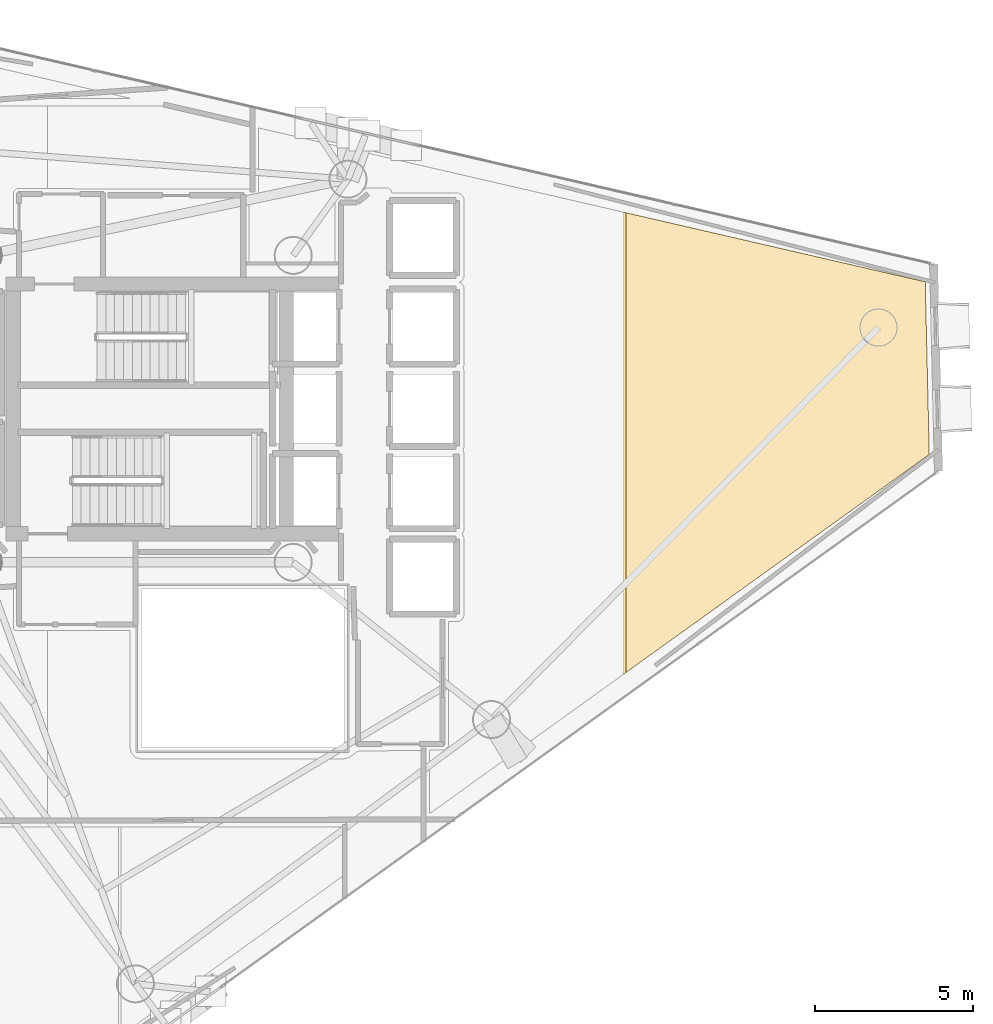
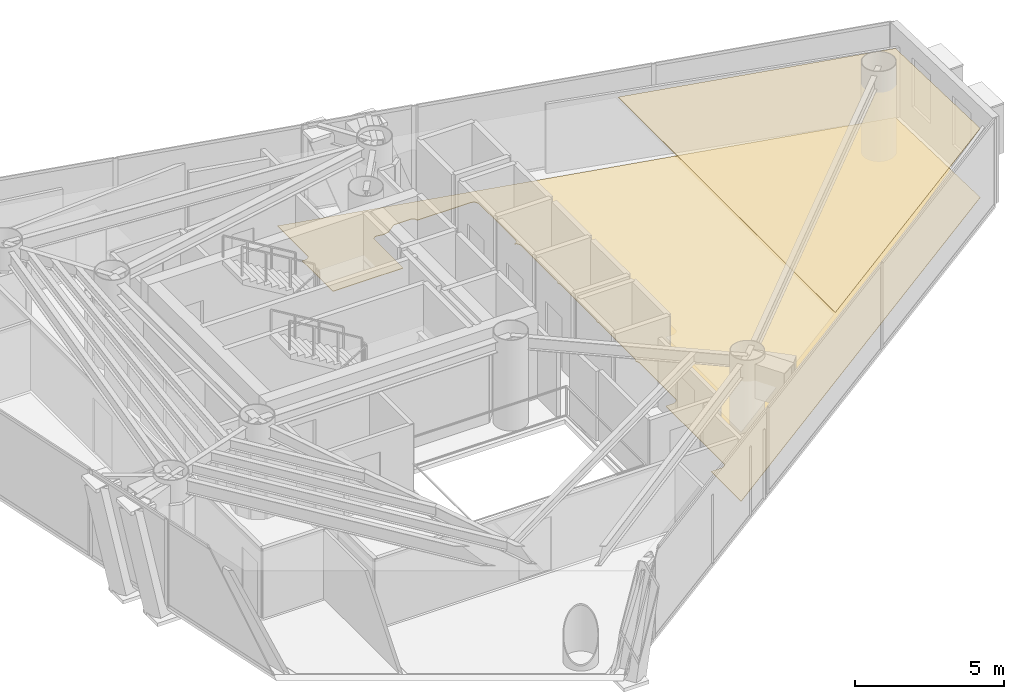
# One storey, part 22 of 22: 2 coverings.
"""IFC4 building model written with IfcOpenShell, lengths in metres."""

from ifc_helpers import new_model, si_unit, direction, frame, origin, place, context, subcontext, project, spatial, polyline, outline, extrude, material, layer, layer_set, type_object, element, save


model = new_model("IFC4")

# Units and contexts
model_context = context("Model", 3, precision=1e-05, world=origin(), true_north=direction((0.0, 1.0)))
body_context = subcontext(model_context, "Body", "Model", "MODEL_VIEW")
ifc_project = project(units=[si_unit("LENGTHUNIT", "METRE"), si_unit("AREAUNIT", "SQUARE_METRE"), si_unit("VOLUMEUNIT", "CUBIC_METRE"), si_unit("PLANEANGLEUNIT", "RADIAN"), si_unit("MASSUNIT", "GRAM", prefix="KILO")], contexts=[model_context])

# Site, building, storey
site_placement = place(None, origin())
site = spatial("IfcSite", under=ifc_project, at=site_placement, CompositionType="ELEMENT")
building_placement = place(site_placement, origin())
building = spatial("IfcBuilding", under=site, at=building_placement, Name="Qianvela Tower", CompositionType="ELEMENT")
storey_placement = place(building_placement, frame((0.0, 0.0, 204.0)))
storey = spatial("IfcBuildingStorey", under=building, at=storey_placement, Name="L52", CompositionType="ELEMENT", Elevation=204.0)

# Coverings
ifc_material_1 = material(Name="Perforated Mineral Acoustic Ceiling Tile")
ifc_layer_1 = layer(ifc_material_1, 0.02490234375)
ifc_layer_set_1 = layer_set([ifc_layer_1], Name="Perforated Mineral Acoustic Ceiling Tile")
covering_type_1 = type_object("IfcCoveringType", Name="COV-CEIL-ACOUSTIC-25", PredefinedType="CEILING", material=ifc_layer_set_1)
covering_1_placement = place(storey_placement, frame((0.0, 0.0, 2.81494140625)))
element("IfcCovering", 1, at=covering_1_placement, inside=storey, type_object=covering_type_1, Name="L52 Acoustic Ceiling Bay 2 Collaborative Co-working Office L52-02", PredefinedType="CEILING", context=body_context, shape_type="SweptSolid", body=[
    extrude(outline(polyline([(58.373779296875, 32.71533203125), (58.5009765625, 27.259033203125), (48.924560546875, 20.37451171875), (48.924560546875, 34.8955078125), (58.373779296875, 32.71533203125)])), origin(), (0.0, 0.0, 1.0), 0.025146484375),
])
ifc_material_2 = material(Name="Engineered Acoustic Oak Timber Flooring", Category="wood")
ifc_layer_2 = layer(ifc_material_2, 0.02001953125)
ifc_layer_set_2 = layer_set([ifc_layer_2], Name="Engineered Acoustic Oak Timber Flooring")
covering_type_2 = type_object("IfcCoveringType", Name="COV-FLOOR-OAK-20", PredefinedType="FLOORING", material=ifc_layer_set_2)
covering_2_placement = place(storey_placement, origin())
element("IfcCovering", 2, at=covering_2_placement, inside=storey, type_object=covering_type_2, Name="L52 Finish Flooring Collaborative Co-working Office L52-02", PredefinedType="FLOORING", context=body_context, shape_type="SweptSolid", body=[
    extrude(outline(polyline([(42.709716796875, 15.906494140625), (42.70751953125, 17.920166015625), (43.157958984375, 17.92041015625), (43.165771484375, 17.9208984375), (43.173583984375, 17.921875), (43.18115234375, 17.923828125), (43.1884765625, 17.926513671875), (43.195556640625, 17.9296875), (43.202392578125, 17.933837890625), (43.20849609375, 17.9384765625), (43.21435546875, 17.94384765625), (43.2861328125, 18.015625), (43.29150390625, 18.021484375), (43.296142578125, 18.027587890625), (43.30029296875, 18.034423828125), (43.303466796875, 18.04150390625), (43.30615234375, 18.048828125), (43.30810546875, 18.056640625), (43.30908203125, 18.064208984375), (43.3095703125, 18.072265625), (43.309326171875, 21.980712890625), (43.60791015625, 21.982666015625), (43.615478515625, 21.983154296875), (43.623291015625, 21.984375), (43.630859375, 21.986083984375), (43.637939453125, 21.98876953125), (43.64501953125, 21.9921875), (43.716796875, 22.030517578125), (43.723388671875, 22.034423828125), (43.729736328125, 22.039306640625), (43.735595703125, 22.04443359375), (43.74072265625, 22.05029296875), (43.74560546875, 22.056640625), (43.74951171875, 22.063232421875), (43.787841796875, 22.135009765625), (43.791259765625, 22.14208984375), (43.7939453125, 22.1494140625), (43.7958984375, 22.156982421875), (43.796875, 22.164794921875), (43.79736328125, 22.172607421875), (43.79931640625, 24.61376953125), (43.799072265625, 24.62060546875), (43.798095703125, 24.627685546875), (43.79638671875, 24.634765625), (43.79443359375, 24.641357421875), (43.79150390625, 24.64794921875), (43.751220703125, 24.733154296875), (43.74755859375, 24.739990234375), (43.743408203125, 24.74658203125), (43.738525390625, 24.752197265625), (43.780517578125, 24.81494140625), (43.784423828125, 24.821533203125), (43.787841796875, 24.82861328125), (43.79052734375, 24.8359375), (43.79248046875, 24.843505859375), (43.793701171875, 24.851318359375), (43.7939453125, 24.859130859375), (43.800048828125, 27.2998046875), (43.799560546875, 27.307861328125), (43.79833984375, 27.315673828125), (43.79638671875, 27.323486328125), (43.793701171875, 27.3310546875), (43.7646484375, 27.39990234375), (43.793701171875, 27.468994140625), (43.79638671875, 27.476318359375), (43.79833984375, 27.484130859375), (43.799560546875, 27.491943359375), (43.800048828125, 27.5), (43.800048828125, 29.89990234375), (43.799560546875, 29.907958984375), (43.79833984375, 29.915771484375), (43.79638671875, 29.923583984375), (43.793701171875, 29.93115234375), (43.7646484375, 30.0), (43.793701171875, 30.06884765625), (43.79638671875, 30.076416015625), (43.79833984375, 30.084228515625), (43.799560546875, 30.092041015625), (43.800048828125, 30.10009765625), (43.79931640625, 32.513671875), (43.798828125, 32.522705078125), (43.79736328125, 32.53125), (43.794921875, 32.539794921875), (43.79150390625, 32.5478515625), (43.751220703125, 32.63330078125), (43.74755859375, 32.64013671875), (43.743408203125, 32.646728515625), (43.73828125, 32.652587890625), (43.732666015625, 32.658203125), (43.726806640625, 32.663330078125), (43.72021484375, 32.66748046875), (43.713134765625, 32.67138671875), (43.646484375, 32.702880859375), (43.722412109375, 32.739013671875), (43.729248046875, 32.74267578125), (43.73583984375, 32.746826171875), (43.741943359375, 32.751953125), (43.74755859375, 32.757568359375), (43.75244140625, 32.763427734375), (43.7568359375, 32.77001953125), (43.760498046875, 32.777099609375), (43.763427734375, 32.7841796875), (43.79541015625, 32.873046875), (43.79736328125, 32.879638671875), (43.798828125, 32.886474609375), (43.7998046875, 32.893310546875), (43.800048828125, 32.900146484375), (43.79736328125, 35.327392578125), (43.796875, 35.3359375), (43.79541015625, 35.344482421875), (43.793212890625, 35.352783203125), (43.7900390625, 35.36083984375), (43.785888671875, 35.368408203125), (43.7373046875, 35.44921875), (43.732666015625, 35.456298828125), (43.727294921875, 35.462890625), (43.72119140625, 35.46875), (43.71435546875, 35.47412109375), (43.70703125, 35.478515625), (43.699462890625, 35.482177734375), (43.624267578125, 35.51318359375), (43.616943359375, 35.515869140625), (43.609375, 35.517822265625), (43.6015625, 35.518798828125), (43.59375, 35.519287109375), (41.515625, 35.52001953125), (41.513916015625, 35.554931640625), (41.512939453125, 35.563232421875), (41.51123046875, 35.5712890625), (41.508544921875, 35.5791015625), (41.50537109375, 35.5869140625), (41.501220703125, 35.593994140625), (41.496337890625, 35.6005859375), (41.49072265625, 35.60693359375), (41.484619140625, 35.612548828125), (41.426513671875, 35.660400390625), (41.419921875, 35.6650390625), (41.413330078125, 35.6689453125), (41.406005859375, 35.67236328125), (41.398681640625, 35.675048828125), (41.39111328125, 35.677001953125), (41.38330078125, 35.677978515625), (41.37548828125, 35.678466796875), (40.726806640625, 35.676513671875), (40.718994140625, 35.67626953125), (40.71142578125, 35.675048828125), (40.7041015625, 35.67333984375), (40.697021484375, 35.670654296875), (40.68994140625, 35.66748046875), (40.683349609375, 35.663818359375), (40.677001953125, 35.6591796875), (40.35986328125, 35.40673828125), (40.129150390625, 35.36083984375), (39.884521484375, 35.402099609375), (39.87646484375, 35.403076171875), (39.8681640625, 35.4033203125), (39.860107421875, 35.402587890625), (39.85205078125, 35.40087890625), (39.84423828125, 35.398681640625), (39.8369140625, 35.3955078125), (39.82958984375, 35.3916015625), (39.822998046875, 35.38720703125), (39.7578125, 35.337890625), (39.75146484375, 35.332763671875), (39.745849609375, 35.326904296875), (39.74072265625, 35.3203125), (39.736328125, 35.3134765625), (39.732666015625, 35.30615234375), (39.729736328125, 35.298583984375), (39.727783203125, 35.29052734375), (39.726318359375, 35.282470703125), (39.72607421875, 35.2744140625), (39.72021484375, 33.342041015625), (37.010009765625, 33.342041015625), (37.010009765625, 35.40087890625), (37.165771484375, 35.401611328125), (37.174072265625, 35.402099609375), (37.18212890625, 35.4033203125), (37.190185546875, 35.405517578125), (37.197998046875, 35.408447265625), (37.205322265625, 35.412109375), (37.21240234375, 35.416748046875), (37.21875, 35.421875), (37.224609375, 35.427734375), (37.288818359375, 35.498291015625), (37.29345703125, 35.50390625), (37.297607421875, 35.510009765625), (37.30126953125, 35.5166015625), (37.30419921875, 35.523193359375), (37.306640625, 35.5302734375), (37.308349609375, 35.53759765625), (37.309326171875, 35.544921875), (37.3095703125, 35.552001953125), (37.31005859375, 37.57568359375), (58.373779296875, 32.71533203125), (58.5009765625, 27.259033203125), (42.709716796875, 15.906494140625)])), origin(), (0.0, 0.0, 1.0), 0.02001953125),
])

save(model, "model.ifc")
